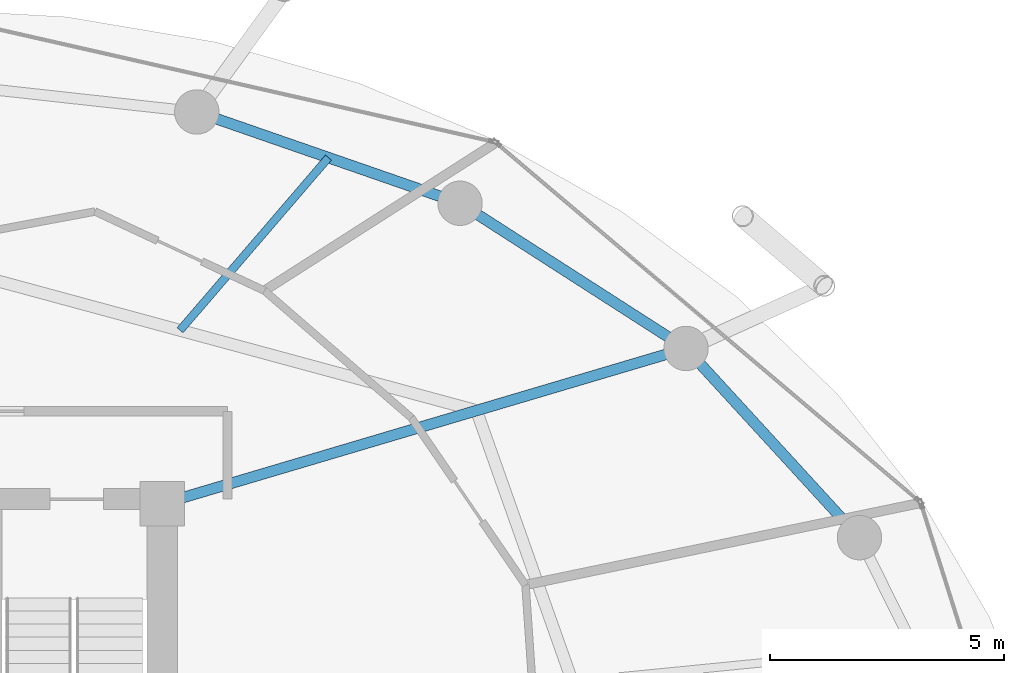
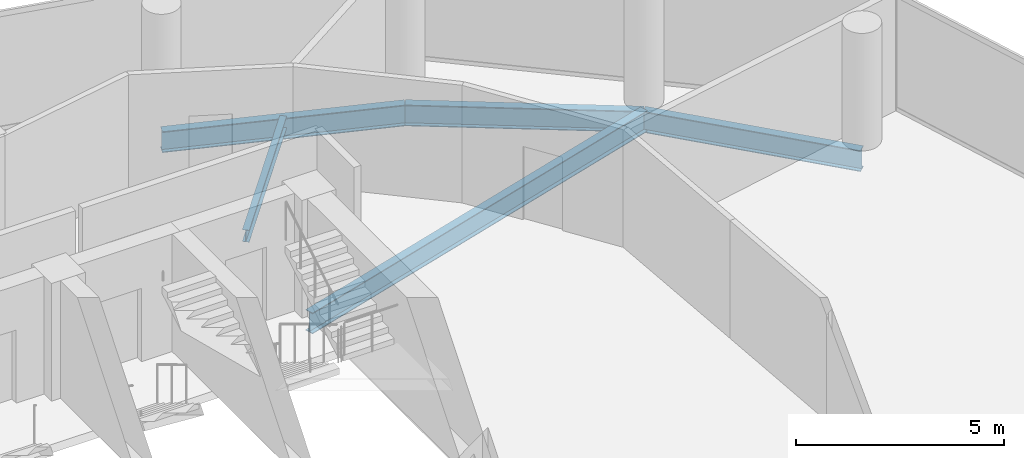
# One storey, part 18 of 26: 5 beams.
"""IFC4 building model written with IfcOpenShell, lengths in metres."""

from ifc_helpers import new_model, si_unit, direction, frame, origin, origin_2d, place, context, subcontext, project, spatial, i_section, extrude, material, material_profile, profile_set, type_object, element, save


model = new_model("IFC4")

# Units and contexts
model_context = context("Model", 3, precision=1e-05, world=origin(), true_north=direction((0.0, 1.0)))
body_context = subcontext(model_context, "Body", "Model", "MODEL_VIEW")
ifc_project = project(units=[si_unit("LENGTHUNIT", "METRE"), si_unit("AREAUNIT", "SQUARE_METRE"), si_unit("VOLUMEUNIT", "CUBIC_METRE"), si_unit("PLANEANGLEUNIT", "RADIAN"), si_unit("MASSUNIT", "GRAM", prefix="KILO")], contexts=[model_context])

# Site, building, storey
site_placement = place(None, origin())
site = spatial("IfcSite", under=ifc_project, at=site_placement, CompositionType="ELEMENT")
building_placement = place(site_placement, origin())
building = spatial("IfcBuilding", under=site, at=building_placement, Name="Nuhasar Tower", CompositionType="ELEMENT")
storey_placement = place(building_placement, frame((0.0, 0.0, 144.14990234375)))
storey = spatial("IfcBuildingStorey", under=building, at=storey_placement, Name="L34", CompositionType="ELEMENT", Elevation=144.14990234375)

# Beams
ifc_material = material(Name="Steel S355", Category="steel")
ifc_material_profile_1 = material_profile(ifc_material, i_section(OverallWidth=0.1708984375, OverallDepth=0.35205078125, WebThickness=0.0068359375, FlangeThickness=0.009765625, at=origin_2d()), Name="W14X30")
ifc_profile_set_1 = profile_set([ifc_material_profile_1], Name="Steel S355")
beam_type_1 = type_object("IfcBeamType", Name="BM-JST-W14X30", PredefinedType="JOIST", material=ifc_profile_set_1)
beam_1_placement = place(storey_placement, frame((44.68408203125, 41.011962890625, -0.42578125), z_axis=(0.651690621509, 0.758484893612, 0.0), x_axis=(-0.758484893612, 0.651690621509, 0.0)))
element("IfcBeam", 1, at=beam_1_placement, inside=storey, type_object=beam_type_1, Name="L34 Secondary Floor Joist 05", PredefinedType="JOIST", context=body_context, shape_type="SweptSolid", body=[
    extrude(i_section(OverallWidth=0.1708984375, OverallDepth=0.35205078125, WebThickness=0.0068359375, FlangeThickness=0.009765625, at=origin_2d()), origin(), (0.0, 0.0, 1.0), 4.87158203125),
])
ifc_material_profile_2 = material_profile(ifc_material, i_section(OverallWidth=0.22900390625, OverallDepth=0.612060546875, WebThickness=0.011962890625, FlangeThickness=0.01953125, at=origin_2d()), Name="W24X84")
ifc_profile_set_2 = profile_set([ifc_material_profile_2], Name="Steel S355")
beam_type_2 = type_object("IfcBeamType", Name="BM-RAD-W24X84", PredefinedType="BEAM", material=ifc_profile_set_2)
beam_2_placement = place(storey_placement, frame((44.300048828125, 37.300048828125, -0.555908203125), z_axis=(0.958746492721, 0.284262489076, 0.0), x_axis=(-0.284262489076, 0.958746492721, 0.0)))
element("IfcBeam", 2, at=beam_2_placement, inside=storey, type_object=beam_type_2, Name="L34 Radial Floor Girder 05", PredefinedType="BEAM", context=body_context, shape_type="SweptSolid", body=[
    extrude(i_section(OverallWidth=0.22900390625, OverallDepth=0.612060546875, WebThickness=0.011962890625, FlangeThickness=0.01953125, at=origin_2d()), origin(), (0.0, 0.0, 1.0), 11.693359375),
])
ifc_material_profile_3 = material_profile(ifc_material, i_section(OverallWidth=0.22998046875, OverallDepth=0.616943359375, WebThickness=0.01318359375, FlangeThickness=0.022216796875, at=origin_2d()), Name="W24X94")
ifc_profile_set_3 = profile_set([ifc_material_profile_3], Name="Steel S355")
beam_type_3 = type_object("IfcBeamType", Name="BM-RING-W24X94", PredefinedType="SPANDREL", material=ifc_profile_set_3)
beam_3_placement = place(storey_placement, frame((59.221923828125, 36.574951171875, -0.558837890625), z_axis=(-0.675654174897, 0.737218716491, 0.0), x_axis=(-0.737218716491, -0.675654174897, 0.0)))
element("IfcBeam", 3, at=beam_3_placement, inside=storey, type_object=beam_type_3, Name="L34 Perimeter Ring Spandrel 03", PredefinedType="SPANDREL", context=body_context, shape_type="SweptSolid", body=[
    extrude(i_section(OverallWidth=0.22998046875, OverallDepth=0.616943359375, WebThickness=0.01318359375, FlangeThickness=0.022216796875, at=origin_2d()), origin(), (0.0, 0.0, 1.0), 5.492431640625),
])
beam_4_placement = place(storey_placement, frame((55.510986328125, 40.6240234375, -0.558837890625), z_axis=(-0.841327486207, 0.540525726448, 0.0), x_axis=(-0.540525726448, -0.841327486207, 0.0)))
element("IfcBeam", 4, at=beam_4_placement, inside=storey, type_object=beam_type_3, Name="L34 Perimeter Ring Spandrel 04", PredefinedType="SPANDREL", context=body_context, shape_type="SweptSolid", body=[
    extrude(i_section(OverallWidth=0.22998046875, OverallDepth=0.616943359375, WebThickness=0.01318359375, FlangeThickness=0.022216796875, at=origin_2d()), origin(), (0.0, 0.0, 1.0), 5.748046875),
])
beam_5_placement = place(storey_placement, frame((50.675048828125, 43.73095703125, -0.558837890625), z_axis=(-0.944801380051, 0.327643636066, 0.0), x_axis=(-0.327643636066, -0.944801380051, 0.0)))
element("IfcBeam", 5, at=beam_5_placement, inside=storey, type_object=beam_type_3, Name="L34 Perimeter Ring Spandrel 05", PredefinedType="SPANDREL", context=body_context, shape_type="SweptSolid", body=[
    extrude(i_section(OverallWidth=0.22998046875, OverallDepth=0.616943359375, WebThickness=0.01318359375, FlangeThickness=0.022216796875, at=origin_2d()), origin(), (0.0, 0.0, 1.0), 5.961181640625),
])

save(model, "model.ifc")
